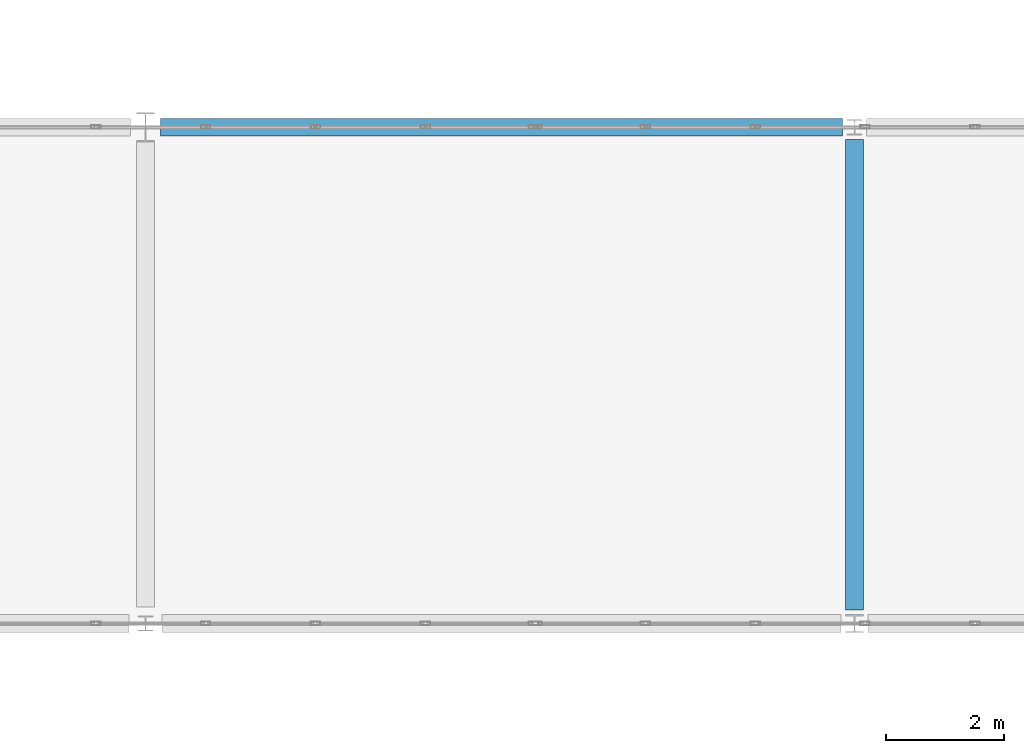
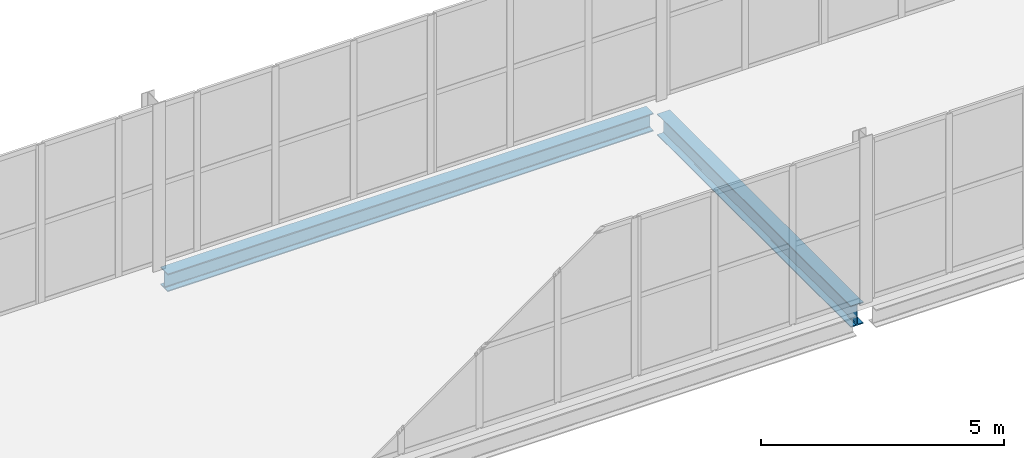
# One storey, part 62 of 121: 2 beams.
"""IFC4 building model written with IfcOpenShell, lengths in metres."""

from ifc_helpers import new_model, si_unit, direction, frame, origin, origin_2d, place, context, subcontext, project, spatial, i_section, extrude, material, material_profile, profile_set, type_object, element, save


model = new_model("IFC4")

# Units and contexts
model_context = context("Model", 3, precision=1e-05, world=origin(), true_north=direction((0.0, 1.0)))
body_context = subcontext(model_context, "Body", "Model", "MODEL_VIEW")
ifc_project = project(units=[si_unit("LENGTHUNIT", "METRE"), si_unit("AREAUNIT", "SQUARE_METRE"), si_unit("VOLUMEUNIT", "CUBIC_METRE"), si_unit("PLANEANGLEUNIT", "RADIAN"), si_unit("MASSUNIT", "GRAM", prefix="KILO")], contexts=[model_context])

# Site, building, storey
site_placement = place(None, origin())
site = spatial("IfcSite", under=ifc_project, at=site_placement, CompositionType="ELEMENT")
building_placement = place(site_placement, origin())
building = spatial("IfcBuilding", under=site, at=building_placement, Name="Vinh Khe Railworks Police Headquarters", CompositionType="ELEMENT")
storey_placement = place(building_placement, frame((0.0, 0.0, 4.800048828125)))
storey = spatial("IfcBuildingStorey", under=building, at=storey_placement, Name="L01", CompositionType="ELEMENT", Elevation=4.800048828125)

# Beams
ifc_material = material(Name="Steel S355JR", Category="steel")
ifc_material_profile_1 = material_profile(ifc_material, i_section(OverallWidth=0.300048828125, OverallDepth=0.5400390625, WebThickness=0.012451171875, FlangeThickness=0.02392578125, FilletRadius=0.027099609375, at=origin_2d()), Name="HEA 550")
ifc_profile_set_1 = profile_set([ifc_material_profile_1], Name="Steel S355JR")
beam_type_1 = type_object("IfcBeamType", Name="Steel Girder HEA 550", PredefinedType="BEAM", material=ifc_profile_set_1)
beam_1_placement = place(storey_placement, frame((46.199951171875, 96.22998046875, -0.510009765625), z_axis=(0.0, 1.0, 0.0), x_axis=(-1.0, 0.0, 0.0)))
element("IfcBeam", 1, at=beam_1_placement, inside=storey, type_object=beam_type_1, Name="Girder BM-L01-NS-SB-11-0650", PredefinedType="BEAM", context=body_context, shape_type="SweptSolid", body=[
    extrude(i_section(OverallWidth=0.300048828125, OverallDepth=0.5400390625, WebThickness=0.012451171875, FlangeThickness=0.02392578125, FilletRadius=0.027099609375, at=origin_2d()), origin(), (0.0, 0.0, 1.0), 7.965087890625),
])
ifc_material_profile_2 = material_profile(ifc_material, i_section(OverallWidth=0.300048828125, OverallDepth=0.449951171875, WebThickness=0.013916015625, FlangeThickness=0.02587890625, FilletRadius=0.027099609375, at=origin_2d()), Name="HEB 450")
ifc_profile_set_2 = profile_set([ifc_material_profile_2], Name="Steel S355JR")
beam_type_2 = type_object("IfcBeamType", Name="Steel Girder HEB 450", PredefinedType="BEAM", material=ifc_profile_set_2)
beam_2_placement = place(storey_placement, frame((34.455078125, 104.39990234375, -0.465087890625), z_axis=(1.0, 0.0, 0.0), x_axis=(0.0, 1.0, 0.0)))
element("IfcBeam", 2, at=beam_2_placement, inside=storey, type_object=beam_type_2, Name="Girder BM-L01-EW-SB-07-0495", PredefinedType="BEAM", context=body_context, shape_type="SweptSolid", body=[
    extrude(i_section(OverallWidth=0.300048828125, OverallDepth=0.449951171875, WebThickness=0.013916015625, FlangeThickness=0.02587890625, FilletRadius=0.027099609375, at=origin_2d()), origin(), (0.0, 0.0, 1.0), 11.5400390625),
])

save(model, "model.ifc")
